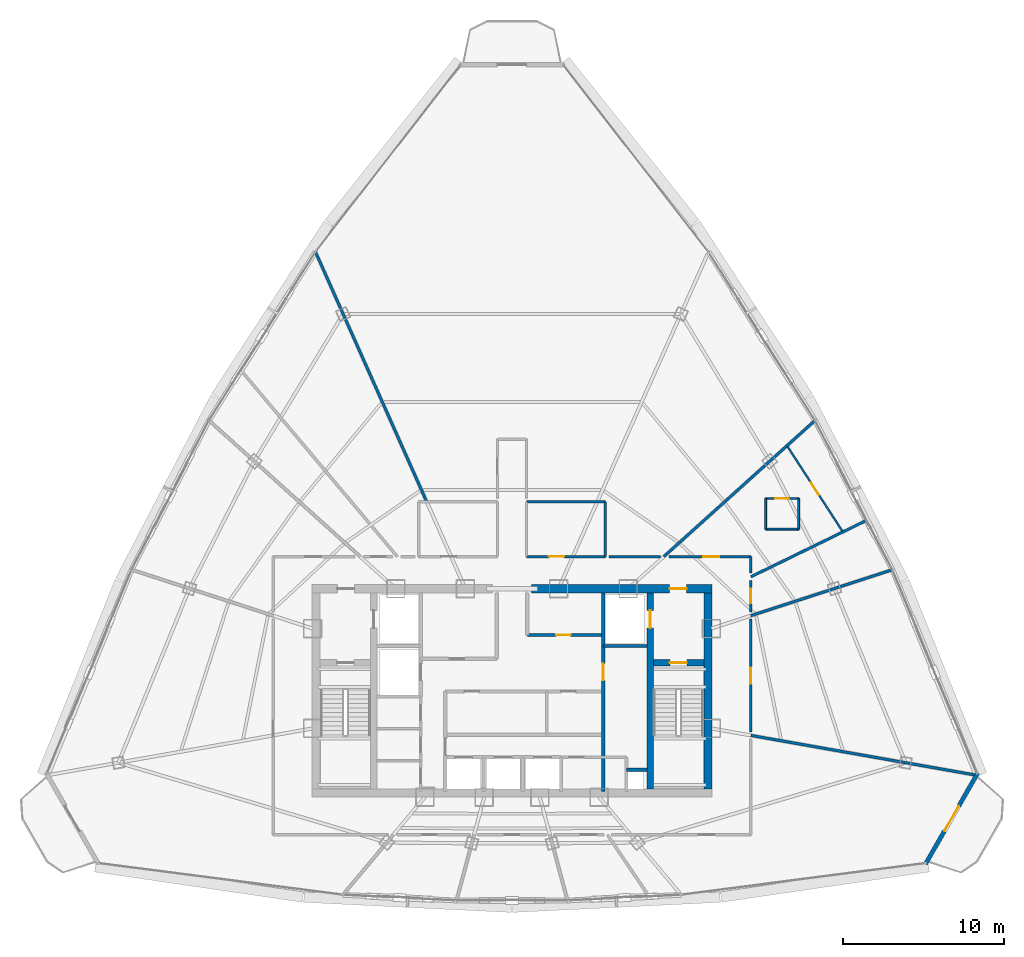
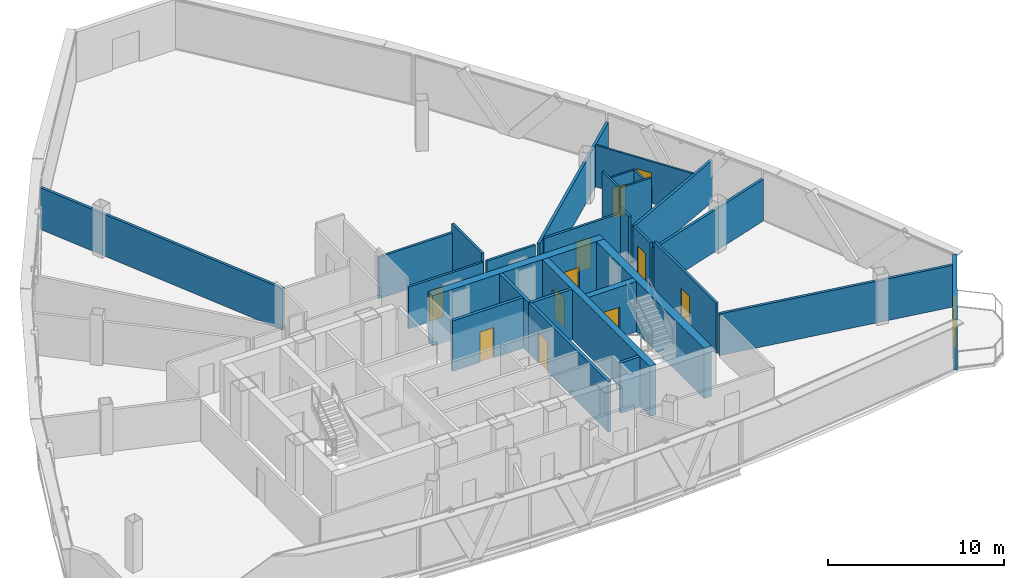
# One storey, part 29 of 33: 28 walls, 12 doors, 12 openings.
"""IFC4 building model written with IfcOpenShell, lengths in metres."""

import ifcopenshell
import ifcopenshell.guid

model = None  # the IFC model being written
_history = None  # IfcOwnerHistory: only IFC2X3 demands one
_inside = {}  # id of a spatial element -> (the spatial element, [elements in it])
_under = {}  # id of a project, library or spatial element -> (it, [spatial elements below it])
_declared = {}  # id of a project -> (the project, [libraries it declares])
_typed = {}  # id of a type object -> (the type object, [elements of that type])
_made_of = {}  # id of a material, layer set ... -> (it, [elements and type objects made of it])


def new_model(schema):
    """Start an empty IFC model of exactly this schema.

    Asked for "IFC4X3", IfcOpenShell would pick the latest addendum, in which some entities
    have other attributes; the version numbers below select the first issue.
    IFC2X3 requires an IfcOwnerHistory on every rooted entity: one is made here for all.
    """
    global model, _history
    if schema == "IFC4X3":
        model = ifcopenshell.file(schema_version=(4, 3, 0, 0))
    else:
        model = ifcopenshell.file(schema=schema)
    _inside.clear()
    _under.clear()
    _declared.clear()
    _typed.clear()
    _made_of.clear()
    _history = None
    if model.schema == "IFC2X3":
        org = make("IfcOrganization", Name="unknown")
        user = make(
            "IfcPersonAndOrganization",
            ThePerson=make("IfcPerson", FamilyName="unknown"),
            TheOrganization=org,
        )
        app = make(
            "IfcApplication",
            ApplicationDeveloper=org,
            Version="unknown",
            ApplicationFullName="unknown",
            ApplicationIdentifier="unknown",
        )
        _history = make(
            "IfcOwnerHistory",
            OwningUser=user,
            OwningApplication=app,
            ChangeAction="ADDED",
            CreationDate=0,
        )
    return model


def make(cls, **values):
    """One entity of the class cls with the attributes given. An attribute that is None is left unset."""
    return model.create_entity(
        cls, **{name: value for name, value in values.items() if value is not None}
    )


def rooted(cls, **values):
    """An entity with a GlobalId (a new one), such as an element, a storey or a relation."""
    return make(cls, GlobalId=ifcopenshell.guid.new(), OwnerHistory=_history, **values)


def si_unit(unit_type, name, prefix=None):
    """IfcSIUnit, for example si_unit("LENGTHUNIT", "METRE", prefix="MILLI")."""
    return make("IfcSIUnit", UnitType=unit_type, Prefix=prefix, Name=name)


def assignment(units):
    """IfcUnitAssignment: the units of a project."""
    return None if units is None else make("IfcUnitAssignment", Units=units)


def point(xyz):
    """IfcCartesianPoint."""
    return None if xyz is None else make("IfcCartesianPoint", Coordinates=xyz)


def direction(xyz):
    """IfcDirection."""
    return None if xyz is None else make("IfcDirection", DirectionRatios=xyz)


def frame(location, z_axis=None, x_axis=None):
    """IfcAxis2Placement3D, a coordinate frame: its origin and axes. An axis left out is left unset."""
    return make(
        "IfcAxis2Placement3D",
        Location=point(location),
        Axis=direction(z_axis),
        RefDirection=direction(x_axis),
    )


def frame_2d(location, x_axis=None):
    """IfcAxis2Placement2D, a coordinate frame in the plane: its origin and x axis."""
    return make(
        "IfcAxis2Placement2D", Location=point(location), RefDirection=direction(x_axis)
    )


def origin():
    """The frame at (0, 0, 0) with its axes left unset."""
    return frame((0.0, 0.0, 0.0))


def origin_with_axes():
    """The frame at (0, 0, 0) with the z axis (0, 0, 1) and the x axis (1, 0, 0) written out."""
    return frame((0.0, 0.0, 0.0), z_axis=(0.0, 0.0, 1.0), x_axis=(1.0, 0.0, 0.0))


def place(relative_to, where):
    """IfcLocalPlacement: puts the frame where relative to a parent placement (None: the world)."""
    return make(
        "IfcLocalPlacement", PlacementRelTo=relative_to, RelativePlacement=where
    )


def context(
    kind, dimensions, precision=None, world=None, true_north=None, identifier=None
):
    """IfcGeometricRepresentationContext, for example the 3D "Model" context."""
    return make(
        "IfcGeometricRepresentationContext",
        ContextIdentifier=identifier,
        ContextType=kind,
        CoordinateSpaceDimension=dimensions,
        Precision=precision,
        WorldCoordinateSystem=world,
        TrueNorth=true_north,
    )


def subcontext(parent, identifier, kind, view, scale=None):
    """IfcGeometricRepresentationSubContext, for example "Body" below "Model"."""
    return make(
        "IfcGeometricRepresentationSubContext",
        ContextIdentifier=identifier,
        ContextType=kind,
        ParentContext=parent,
        TargetScale=scale,
        TargetView=view,
    )


def project(units=None, contexts=None):
    """IfcProject with its units and contexts."""
    return rooted(
        "IfcProject",
        Name="project",
        RepresentationContexts=contexts,
        UnitsInContext=assignment(units),
    )


def spatial(cls, under=None, at=None, **own):
    """A site, building, storey or space (cls), placed at a placement, below another one or the project."""
    s = rooted(cls, ObjectPlacement=at, **own)
    if under is not None:
        _under.setdefault(under.id(), (under, []))[1].append(s)
    return s


def profile(cls, at=None, kind="AREA", **sizes):
    """A parametric profile (cls). Its sizes go by their IFC names, for example OverallWidth=200.0."""
    return make(cls, ProfileType=kind, Position=at, **sizes)


def rectangle(**sizes):
    """IfcRectangleProfileDef."""
    return profile("IfcRectangleProfileDef", **sizes)


def extrude(swept, where, along, depth):
    """IfcExtrudedAreaSolid: the profile swept, set in the frame where, extruded along a direction by depth."""
    return make(
        "IfcExtrudedAreaSolid",
        SweptArea=swept,
        Position=where,
        ExtrudedDirection=direction(along),
        Depth=depth,
    )


def shape(context_of_items, identifier, shape_type, items):
    """IfcShapeRepresentation: the items that make up one representation, for example the "Body"."""
    return make(
        "IfcShapeRepresentation",
        ContextOfItems=context_of_items,
        RepresentationIdentifier=identifier,
        RepresentationType=shape_type,
        Items=items,
    )


def source(mapping_origin, context_of_items, identifier, shape_type, items):
    """IfcRepresentationMap: a shape defined once, which mapped items show again and again."""
    return make(
        "IfcRepresentationMap",
        MappingOrigin=mapping_origin,
        MappedRepresentation=shape(context_of_items, identifier, shape_type, items),
    )


def transform(
    local_origin,
    x_axis=None,
    y_axis=None,
    z_axis=None,
    scale=None,
    scale2=None,
    scale3=None,
    uniform=True,
):
    """IfcCartesianTransformationOperator3D, or its non-uniform kind. x_axis, y_axis, z_axis: its Axis1, 2, 3."""
    if uniform:
        return make(
            "IfcCartesianTransformationOperator3D",
            Axis1=direction(x_axis),
            Axis2=direction(y_axis),
            LocalOrigin=point(local_origin),
            Scale=scale,
            Axis3=direction(z_axis),
        )
    return make(
        "IfcCartesianTransformationOperator3DnonUniform",
        Axis1=direction(x_axis),
        Axis2=direction(y_axis),
        LocalOrigin=point(local_origin),
        Scale=scale,
        Axis3=direction(z_axis),
        Scale2=scale2,
        Scale3=scale3,
    )


def mapped(mapping_source, mapping_target):
    """IfcMappedItem: shows the shape of a source again, moved by a transform."""
    return make(
        "IfcMappedItem", MappingSource=mapping_source, MappingTarget=mapping_target
    )


def material(Name=None, Category=None):
    """IfcMaterial."""
    return make("IfcMaterial", Name=Name, Category=Category)


def layer(
    of_material, thickness, ventilated=None, Name=None, Category=None, Priority=None
):
    """IfcMaterialLayer: one layer of a wall or slab, of a material (None: an air gap)."""
    return make(
        "IfcMaterialLayer",
        Material=of_material,
        LayerThickness=thickness,
        IsVentilated=ventilated,
        Name=Name,
        Category=Category,
        Priority=Priority,
    )


def layer_set(layers, Name=None):
    """IfcMaterialLayerSet."""
    return make("IfcMaterialLayerSet", MaterialLayers=layers, LayerSetName=Name)


def made_of(thing, what):
    """Note that an element or type object is made of a material, layer set ...; save() writes the relation."""
    if what is not None:
        _made_of.setdefault(what.id(), (what, []))[1].append(thing)
    return thing


def type_object(cls, material=None, **own):
    """A type object (cls), such as IfcWallType, which elements share."""
    return made_of(rooted(cls, **own), material)


def element(
    cls,
    number,
    at=None,
    inside=None,
    cuts=None,
    type_object=None,
    material=None,
    context=None,
    identifier="Body",
    shape_type=None,
    held_by="IfcProductDefinitionShape",
    body=None,
    shapes=None,
    **own,
):
    """One element of the class cls, such as IfcWall. Its Tag is "e" and its number.

    at: its placement. inside: the storey or other place that contains it. cuts: it is an
    opening in that element (IfcRelVoidsElement). A single representation is given by context,
    identifier, shape_type and body (its items); several are given by shapes. held_by: the class
    of the entity that holds the representations. save() writes the other relations.
    """
    e = rooted(cls, Tag="e%d" % number, ObjectPlacement=at, **own)
    if body is not None:
        shapes = [shape(context, identifier, shape_type, body)]
    if shapes is not None:
        e.Representation = make(held_by, Representations=shapes)
    if inside is not None:
        _inside.setdefault(inside.id(), (inside, []))[1].append(e)
    if cuts is not None:
        rooted(
            "IfcRelVoidsElement", RelatingBuildingElement=cuts, RelatedOpeningElement=e
        )
    if type_object is not None:
        _typed.setdefault(type_object.id(), (type_object, []))[1].append(e)
    return made_of(e, material)


def fill(opening, filler):
    """IfcRelFillsElement: the door or window that sits in an opening."""
    return rooted(
        "IfcRelFillsElement",
        RelatingOpeningElement=opening,
        RelatedBuildingElement=filler,
    )


def aggregate(whole, parts):
    """IfcRelAggregates: a whole, such as a stair, and the parts it consists of."""
    return rooted("IfcRelAggregates", RelatingObject=whole, RelatedObjects=parts)


def save(model, path):
    """Write the relations noted so far, then the file.

    IfcRelAggregates (storeys below a building ...), IfcRelContainedInSpatialStructure (elements
    in a storey), IfcRelDefinesByType, IfcRelAssociatesMaterial and IfcRelDeclares: one each for
    every whole, place, type object, material and project.
    """
    for whole, parts in _under.values():
        aggregate(whole, parts)
    for where, things in _inside.values():
        rooted(
            "IfcRelContainedInSpatialStructure",
            RelatedElements=things,
            RelatingStructure=where,
        )
    for kind, things in _typed.values():
        rooted("IfcRelDefinesByType", RelatedObjects=things, RelatingType=kind)
    for what, things in _made_of.values():
        rooted("IfcRelAssociatesMaterial", RelatedObjects=things, RelatingMaterial=what)
    for by, libraries in _declared.values():
        rooted("IfcRelDeclares", RelatingContext=by, RelatedDefinitions=libraries)
    model.write(path)


model = new_model("IFC4")

# Units and contexts
model_context = context("Model", 3, precision=1e-05, world=origin(), true_north=direction((0.0, 1.0)))
body_context = subcontext(model_context, "Body", "Model", "MODEL_VIEW")
ifc_project = project(units=[si_unit("LENGTHUNIT", "METRE"), si_unit("AREAUNIT", "SQUARE_METRE"), si_unit("VOLUMEUNIT", "CUBIC_METRE"), si_unit("PLANEANGLEUNIT", "RADIAN"), si_unit("MASSUNIT", "GRAM", prefix="KILO"), si_unit("THERMODYNAMICTEMPERATUREUNIT", "KELVIN"), si_unit("POWERUNIT", "WATT")], contexts=[model_context])

# Site, building, storey
site_placement = place(None, origin())
site = spatial("IfcSite", under=ifc_project, at=site_placement, CompositionType="ELEMENT")
building_placement = place(site_placement, origin())
building = spatial("IfcBuilding", under=site, at=building_placement, Name="Yunzhuo Pagoda Commons", CompositionType="ELEMENT")
storey_placement = place(building_placement, frame((0.0, 0.0, 329.260009765625)))
storey = spatial("IfcBuildingStorey", under=building, at=storey_placement, Name="L82", CompositionType="ELEMENT", Elevation=329.260009765625)

# Wall, opening, door
ifc_material_1 = material(Name="Precast concrete C40", Category="concrete")
ifc_layer_1 = layer(ifc_material_1, 0.260009765625)
ifc_layer_set_1 = layer_set([ifc_layer_1], Name="Precast concrete C40")
wall_type_1 = type_object("IfcWallType", Name="W-BAL1 Corner Balcony Threshold Wall 260", PredefinedType="STANDARD", material=ifc_layer_set_1)
wall_1_placement = place(storey_placement, frame((73.71240234375, 23.091064453125, 0.0), z_axis=(0.0, 0.0, 1.0), x_axis=(0.49793434898, 0.867214727796, 0.0)))
wall_1 = element("IfcWall", 1, at=wall_1_placement, inside=storey, type_object=wall_type_1, Name="L82 corner balcony wall V2", PredefinedType="STANDARD", context=body_context, shape_type="SweptSolid", body=[
    extrude(rectangle(XDim=6.5126953125, YDim=0.260009765625, at=frame_2d((3.25634765625, 0.0))), origin(), (0.0, 0.0, 1.0), 3.489990234375),
])
opening_1_placement = place(wall_1_placement, frame((2.3564453125, 0.0, 0.0)))
opening_1 = element("IfcOpeningElement", 2, at=opening_1_placement, cuts=wall_1, Name="Opening D-BAL1", PredefinedType="OPENING", context=body_context, shape_type="SweptSolid", body=[
    extrude(rectangle(XDim=1.800048828125, YDim=2.14990234375, at=frame_2d((0.89990234375, 1.074951171875))), frame((0.0, 0.14013671875, 0.0), z_axis=(0.0, -1.0, 0.0), x_axis=(1.0, 0.0, 0.0)), (0.0, 0.0, 1.0), 0.280029296875),
])
ifc_material_2 = material(Name="Anodized aluminium frame and tempered glazed leaf", Category="aluminium")
door_type_1 = type_object("IfcDoorType", Name="D-BAL1 Corner Balcony Sliding Glazed Door 1800x2150", OperationType="DOUBLE_DOOR_SLIDING", PredefinedType="DOOR", material=ifc_material_2)
shared_shape_1 = source(origin(), body_context, "Body", "SweptSolid", [
    extrude(rectangle(XDim=1.800048828125, YDim=2.14990234375, at=frame_2d((0.89990234375, 1.074951171875))), frame((0.0, 0.02490234375, 0.0), z_axis=(0.0, -1.0, 0.0), x_axis=(1.0, 0.0, 0.0)), (0.0, 0.0, 1.0), 0.050048828125),
])
door_1_placement = place(opening_1_placement, origin_with_axes())
door_1 = element("IfcDoor", 3, at=door_1_placement, inside=storey, type_object=door_type_1, Name="L82 corner balcony sliding door V2", OperationType="DOUBLE_DOOR_SLIDING", OverallHeight=2.14990234375, OverallWidth=1.800048828125, PredefinedType="DOOR", context=body_context, shape_type="MappedRepresentation", body=[
    mapped(shared_shape_1, transform((0.0, 0.0, 0.0), scale=1.0)),
])
fill(opening_1, door_1)

ifc_material_3 = material(Name="Concrete C50", Category="concrete")
ifc_layer_2 = layer(ifc_material_3, 0.5)
ifc_layer_set_2 = layer_set([ifc_layer_2], Name="Concrete C50")
wall_type_2 = type_object("IfcWallType", Name="W-C03 Upper Core Shear Wall 500", PredefinedType="SHEAR", material=ifc_layer_set_2)
wall_2_placement = place(storey_placement, frame((49.199951171875, 40.199951171875, 0.0), z_axis=(0.0, 0.0, 1.0), x_axis=(1.0, 0.0, 0.0)))
wall_2 = element("IfcWall", 4, at=wall_2_placement, inside=storey, type_object=wall_type_2, Name="L82 core shear wall NE", PredefinedType="SHEAR", context=body_context, shape_type="SweptSolid", body=[
    extrude(rectangle(XDim=11.25, YDim=0.5, at=frame_2d((5.625, 0.0))), origin(), (0.0, 0.0, 1.0), 3.489990234375),
])
opening_2_placement = place(wall_2_placement, frame((8.60009765625, 0.0, 0.0)))
opening_2 = element("IfcOpeningElement", 5, at=opening_2_placement, cuts=wall_2, Name="Opening D-02", PredefinedType="OPENING", context=body_context, shape_type="SweptSolid", body=[
    extrude(rectangle(XDim=1.050048828125, YDim=2.10009765625, at=frame_2d((0.52490234375, 1.050048828125))), frame((0.0, 0.260009765625, 0.0), z_axis=(0.0, -1.0, 0.0), x_axis=(1.0, 0.0, 0.0)), (0.0, 0.0, 1.0), 0.52001953125),
])
ifc_material_4 = material(Name="Galvanized fire-resisting metal leaf")
door_type_2 = type_object("IfcDoorType", Name="D-02 Firefighting Lobby & Refuge Fire Door 1050x2100", OperationType="NOTDEFINED", PredefinedType="DOOR", material=ifc_material_4)
shared_shape_2 = source(origin(), body_context, "Body", "SweptSolid", [
    extrude(rectangle(XDim=1.050048828125, YDim=2.10009765625, at=frame_2d((0.52490234375, 1.050048828125))), frame((0.0, 0.02490234375, 0.0), z_axis=(0.0, -1.0, 0.0), x_axis=(1.0, 0.0, 0.0)), (0.0, 0.0, 1.0), 0.050048828125),
])
door_2_placement = place(opening_2_placement, frame((1.050048828125, 0.0, 0.0), z_axis=(0.0, 0.0, 1.0), x_axis=(-1.0, 0.0, 0.0)))
door_2 = element("IfcDoor", 6, at=door_2_placement, inside=storey, type_object=door_type_2, Name="L82 Firefighting Lobby 2 fire door", OperationType="SINGLE_SWING_RIGHT", OverallHeight=2.10009765625, OverallWidth=1.050048828125, PredefinedType="DOOR", context=body_context, shape_type="MappedRepresentation", body=[
    mapped(shared_shape_2, transform((0.0, 0.0, 0.0), scale=1.0)),
])
fill(opening_2, door_2)

# Wall
wall_3_placement = place(storey_placement, frame((60.199951171875, 27.75, 0.0), z_axis=(0.0, 0.0, 1.0), x_axis=(0.0, 1.0, 0.0)))
element("IfcWall", 7, at=wall_3_placement, inside=storey, type_object=wall_type_2, Name="L82 core shear wall E", PredefinedType="SHEAR", context=body_context, shape_type="SweptSolid", body=[
    extrude(rectangle(XDim=12.199951171875, YDim=0.5, at=frame_2d((6.10009765625, 0.0))), origin(), (0.0, 0.0, 1.0), 3.489990234375),
])

# Wall, opening, door
ifc_material_5 = material(Name="Gypsum plasterboard on acoustic stud")
ifc_layer_3 = layer(ifc_material_5, 0.14990234375)
ifc_layer_set_3 = layer_set([ifc_layer_3], Name="Gypsum plasterboard on acoustic stud")
wall_type_3 = type_object("IfcWallType", Name="W-COR3 High-Zone Rated Corridor Wall 150", PredefinedType="PARTITIONING", material=ifc_layer_set_3)
wall_4_placement = place(storey_placement, frame((48.89990234375, 42.199951171875, 0.0), z_axis=(0.0, 0.0, 1.0), x_axis=(1.0, 0.0, 0.0)))
wall_4 = element("IfcWall", 8, at=wall_4_placement, inside=storey, type_object=wall_type_3, Name="L82 interior wall IW-L82-TFES", PredefinedType="PARTITIONING", context=body_context, shape_type="SweptSolid", body=[
    extrude(rectangle(XDim=4.900146484375, YDim=0.14990234375, at=frame_2d((2.4501953125, 0.0))), origin(), (0.0, 0.0, 1.0), 2.889892578125),
])
opening_3_placement = place(wall_4_placement, frame((1.39990234375, 0.0, 0.0)))
opening_3 = element("IfcOpeningElement", 9, at=opening_3_placement, cuts=wall_4, Name="Opening D-11", PredefinedType="OPENING", context=body_context, shape_type="SweptSolid", body=[
    extrude(rectangle(XDim=0.93994140625, YDim=2.10009765625, at=frame_2d((0.469970703125, 1.050048828125))), frame((0.0, 0.0849609375, 0.0), z_axis=(0.0, -1.0, 0.0), x_axis=(1.0, 0.0, 0.0)), (0.0, 0.0, 1.0), 0.169921875),
])
door_type_3 = type_object("IfcDoorType", Name="D-11 Accessible Washroom Fire Door 940x2100", OperationType="NOTDEFINED", PredefinedType="DOOR", material=ifc_material_4)
shared_shape_3 = source(origin(), body_context, "Body", "SweptSolid", [
    extrude(rectangle(XDim=0.93994140625, YDim=2.10009765625, at=frame_2d((0.469970703125, 1.050048828125))), frame((0.0, 0.02490234375, 0.0), z_axis=(0.0, -1.0, 0.0), x_axis=(1.0, 0.0, 0.0)), (0.0, 0.0, 1.0), 0.050048828125),
])
door_3_placement = place(opening_3_placement, frame((0.93994140625, 0.0, 0.0), z_axis=(0.0, 0.0, 1.0), x_axis=(-1.0, 0.0, 0.0)))
door_3 = element("IfcDoor", 10, at=door_3_placement, inside=storey, type_object=door_type_3, Name="L82 accessible WC door", OperationType="SINGLE_SWING_RIGHT", OverallHeight=2.10009765625, OverallWidth=0.93994140625, PredefinedType="DOOR", context=body_context, shape_type="MappedRepresentation", body=[
    mapped(shared_shape_3, transform((0.0, 0.0, 0.0), scale=1.0)),
])
fill(opening_3, door_3)

# Walls
wall_5_placement = place(storey_placement, frame((48.89990234375, 45.60009765625, 0.0), z_axis=(0.0, 0.0, 1.0), x_axis=(1.0, 0.0, 0.0)))
element("IfcWall", 11, at=wall_5_placement, inside=storey, type_object=wall_type_3, Name="L82 interior wall IW-L82-TFEN", PredefinedType="PARTITIONING", context=body_context, shape_type="SweptSolid", body=[
    extrude(rectangle(XDim=4.900146484375, YDim=0.14990234375, at=frame_2d((2.4501953125, 0.0))), origin(), (0.0, 0.0, 1.0), 2.889892578125),
])
wall_6_placement = place(storey_placement, frame((53.800048828125, 42.199951171875, 0.0), z_axis=(0.0, 0.0, 1.0), x_axis=(0.0, 1.0, 0.0)))
element("IfcWall", 12, at=wall_6_placement, inside=storey, type_object=wall_type_3, Name="L82 interior wall IW-L82-TFEE", PredefinedType="PARTITIONING", context=body_context, shape_type="SweptSolid", body=[
    extrude(rectangle(XDim=3.400146484375, YDim=0.14990234375, at=frame_2d((1.7001953125, 0.0))), origin(), (0.0, 0.0, 1.0), 3.489990234375),
])
wall_7_placement = place(storey_placement, frame((54.02001953125, 42.199951171875, 0.0), z_axis=(0.0, 0.0, 1.0), x_axis=(1.0, 0.0, 0.0)))
element("IfcWall", 13, at=wall_7_placement, inside=storey, type_object=wall_type_3, Name="L82 interior wall IW-L82-CWL09", PredefinedType="PARTITIONING", context=body_context, shape_type="SweptSolid", body=[
    extrude(rectangle(XDim=3.200439453125, YDim=0.14990234375, at=frame_2d((1.60009765625, 0.0))), origin(), (0.0, 0.0, 1.0), 2.889892578125),
])

# Wall, opening, door
wall_8_placement = place(storey_placement, frame((57.76904296875, 42.199951171875, 0.0), z_axis=(0.0, 0.0, 1.0), x_axis=(1.0, 0.0, 0.0)))
wall_8 = element("IfcWall", 14, at=wall_8_placement, inside=storey, type_object=wall_type_3, Name="L82 interior wall IW-L82-CWL10", PredefinedType="PARTITIONING", context=body_context, shape_type="SweptSolid", body=[
    extrude(rectangle(XDim=5.0810546875, YDim=0.14990234375, at=frame_2d((2.54052734375, 0.0))), origin(), (0.0, 0.0, 1.0), 3.139892578125),
])
opening_4_placement = place(wall_8_placement, frame((2.131103515625, 0.0, 0.0)))
opening_4 = element("IfcOpeningElement", 15, at=opening_4_placement, cuts=wall_8, Name="Opening D-08", PredefinedType="OPENING", context=body_context, shape_type="SweptSolid", body=[
    extrude(rectangle(XDim=0.97998046875, YDim=2.1201171875, at=frame_2d((0.489990234375, 1.06005859375))), frame((0.0, 0.0849609375, 0.0), z_axis=(0.0, -1.0, 0.0), x_axis=(1.0, 0.0, 0.0)), (0.0, 0.0, 1.0), 0.169921875),
])
door_type_4 = type_object("IfcDoorType", Name="D-08 High-Zone Suite Entrance Fire Door 980x2120", OperationType="NOTDEFINED", PredefinedType="DOOR", material=ifc_material_4)
shared_shape_4 = source(origin(), body_context, "Body", "SweptSolid", [
    extrude(rectangle(XDim=0.97998046875, YDim=2.1201171875, at=frame_2d((0.489990234375, 1.06005859375))), frame((0.0, 0.02490234375, 0.0), z_axis=(0.0, -1.0, 0.0), x_axis=(1.0, 0.0, 0.0)), (0.0, 0.0, 1.0), 0.050048828125),
])
door_4_placement = place(opening_4_placement, origin_with_axes())
door_4 = element("IfcDoor", 16, at=door_4_placement, inside=storey, type_object=door_type_4, Name="L82 unit 03 entrance door", OperationType="SINGLE_SWING_LEFT", OverallHeight=2.1201171875, OverallWidth=0.97998046875, PredefinedType="DOOR", context=body_context, shape_type="MappedRepresentation", body=[
    mapped(shared_shape_4, transform((0.0, 0.0, 0.0), scale=1.0)),
])
fill(opening_4, door_4)

# Wall
wall_9_placement = place(storey_placement, frame((62.85009765625, 42.199951171875, 0.0), z_axis=(0.0, 0.0, 1.0), x_axis=(0.0, -1.0, 0.0)))
element("IfcWall", 17, at=wall_9_placement, inside=storey, type_object=wall_type_3, Name="L82 interior wall IW-L82-CWL11", PredefinedType="PARTITIONING", context=body_context, shape_type="SweptSolid", body=[
    extrude(rectangle(XDim=1.012451171875, YDim=0.14990234375, at=frame_2d((0.50634765625, 0.0))), origin(), (0.0, 0.0, 1.0), 3.489990234375),
])

# Wall, opening, door
wall_10_placement = place(storey_placement, frame((62.85009765625, 40.722900390625, 0.0), z_axis=(0.0, 0.0, 1.0), x_axis=(0.0, -1.0, 0.0)))
wall_10 = element("IfcWall", 18, at=wall_10_placement, inside=storey, type_object=wall_type_3, Name="L82 interior wall IW-L82-CWL12", PredefinedType="PARTITIONING", context=body_context, shape_type="SweptSolid", body=[
    extrude(rectangle(XDim=1.966552734375, YDim=0.14990234375, at=frame_2d((0.9833984375, 0.0))), origin(), (0.0, 0.0, 1.0), 3.139892578125),
])
opening_5_placement = place(wall_10_placement, frame((0.529052734375, 0.0, 0.0)))
opening_5 = element("IfcOpeningElement", 19, at=opening_5_placement, cuts=wall_10, Name="Opening D-12", PredefinedType="OPENING", context=body_context, shape_type="SweptSolid", body=[
    extrude(rectangle(XDim=0.89990234375, YDim=2.080078125, at=frame_2d((0.449951171875, 1.0400390625))), frame((0.0, 0.0849609375, 0.0), z_axis=(0.0, -1.0, 0.0), x_axis=(1.0, 0.0, 0.0)), (0.0, 0.0, 1.0), 0.169921875),
])
ifc_material_6 = material(Name="Powder-coated aluminium and timber acoustic leaf", Category="wood")
door_type_5 = type_object("IfcDoorType", Name="D-12 Quiet Study Interior Door 900x2080", OperationType="NOTDEFINED", PredefinedType="DOOR", material=ifc_material_6)
shared_shape_5 = source(origin(), body_context, "Body", "SweptSolid", [
    extrude(rectangle(XDim=0.89990234375, YDim=2.080078125, at=frame_2d((0.449951171875, 1.0400390625))), frame((0.0, 0.02490234375, 0.0), z_axis=(0.0, -1.0, 0.0), x_axis=(1.0, 0.0, 0.0)), (0.0, 0.0, 1.0), 0.050048828125),
])
door_5_placement = place(opening_5_placement, origin_with_axes())
door_5 = element("IfcDoor", 20, at=door_5_placement, inside=storey, type_object=door_type_5, Name="L82 study lounge 02 door", OperationType="SINGLE_SWING_RIGHT", OverallHeight=2.080078125, OverallWidth=0.89990234375, PredefinedType="DOOR", context=body_context, shape_type="MappedRepresentation", body=[
    mapped(shared_shape_5, transform((0.0, 0.0, 0.0), scale=1.0)),
])
fill(opening_5, door_5)

wall_11_placement = place(storey_placement, frame((62.85009765625, 38.305419921875, 0.0), z_axis=(0.0, 0.0, 1.0), x_axis=(0.0, -1.0, 0.0)))
wall_11 = element("IfcWall", 21, at=wall_11_placement, inside=storey, type_object=wall_type_3, Name="L82 interior wall IW-L82-CWL13", PredefinedType="PARTITIONING", context=body_context, shape_type="SweptSolid", body=[
    extrude(rectangle(XDim=7.004150390625, YDim=0.14990234375, at=frame_2d((3.501953125, 0.0))), origin(), (0.0, 0.0, 1.0), 3.489990234375),
])
opening_6_placement = place(wall_11_placement, frame((3.027099609375, 0.0, 0.0)))
opening_6 = element("IfcOpeningElement", 22, at=opening_6_placement, cuts=wall_11, Name="Opening D-08", PredefinedType="OPENING", context=body_context, shape_type="SweptSolid", body=[
    extrude(rectangle(XDim=0.97998046875, YDim=2.1201171875, at=frame_2d((0.489990234375, 1.06005859375))), frame((0.0, 0.0849609375, 0.0), z_axis=(0.0, -1.0, 0.0), x_axis=(1.0, 0.0, 0.0)), (0.0, 0.0, 1.0), 0.169921875),
])
door_6_placement = place(opening_6_placement, origin_with_axes())
door_6 = element("IfcDoor", 23, at=door_6_placement, inside=storey, type_object=door_type_4, Name="L82 unit 01 entrance door", OperationType="SINGLE_SWING_LEFT", OverallHeight=2.1201171875, OverallWidth=0.97998046875, PredefinedType="DOOR", context=body_context, shape_type="MappedRepresentation", body=[
    mapped(shared_shape_4, transform((0.0, 0.0, 0.0), scale=1.0)),
])
fill(opening_6, door_6)

# Walls
ifc_layer_4 = layer(ifc_material_5, 0.1201171875)
ifc_layer_set_4 = layer_set([ifc_layer_4], Name="Gypsum plasterboard on acoustic stud")
wall_type_4 = type_object("IfcWallType", Name="W-PRT1 Suite & Bathroom Partition 120", PredefinedType="PARTITIONING", material=ifc_layer_set_4)
wall_12_placement = place(storey_placement, frame((63.76806640625, 43.9130859375, 0.0), z_axis=(0.0, 0.0, 1.0), x_axis=(1.0, 0.0, 0.0)))
element("IfcWall", 24, at=wall_12_placement, inside=storey, type_object=wall_type_4, Name="L82 interior wall IW-L82-B03S", PredefinedType="PARTITIONING", context=body_context, shape_type="SweptSolid", body=[
    extrude(rectangle(XDim=2.050048828125, YDim=0.1201171875, at=frame_2d((1.02490234375, 0.0))), origin(), (0.0, 0.0, 1.0), 3.489990234375),
])
wall_13_placement = place(storey_placement, frame((65.818115234375, 43.9130859375, 0.0), z_axis=(0.0, 0.0, 1.0), x_axis=(0.0, 1.0, 0.0)))
element("IfcWall", 25, at=wall_13_placement, inside=storey, type_object=wall_type_4, Name="L82 interior wall IW-L82-B03E", PredefinedType="PARTITIONING", context=body_context, shape_type="SweptSolid", body=[
    extrude(rectangle(XDim=1.89990234375, YDim=0.1201171875, at=frame_2d((0.949951171875, 0.0))), origin(), (0.0, 0.0, 1.0), 2.889892578125),
])

# Wall, opening, door
wall_14_placement = place(storey_placement, frame((65.818115234375, 45.81298828125, 0.0), z_axis=(0.0, 0.0, 1.0), x_axis=(-1.0, 0.0, 0.0)))
wall_14 = element("IfcWall", 26, at=wall_14_placement, inside=storey, type_object=wall_type_4, Name="L82 interior wall IW-L82-B03N", PredefinedType="PARTITIONING", context=body_context, shape_type="SweptSolid", body=[
    extrude(rectangle(XDim=2.050048828125, YDim=0.1201171875, at=frame_2d((1.02490234375, 0.0))), origin(), (0.0, 0.0, 1.0), 2.889892578125),
])
opening_7_placement = place(wall_14_placement, frame((0.60009765625, 0.0, 0.0)))
opening_7 = element("IfcOpeningElement", 27, at=opening_7_placement, cuts=wall_14, Name="Opening D-05", PredefinedType="OPENING", context=body_context, shape_type="SweptSolid", body=[
    extrude(rectangle(XDim=0.85009765625, YDim=2.10009765625, at=frame_2d((0.425048828125, 1.050048828125))), frame((0.0, 0.070068359375, 0.0), z_axis=(0.0, -1.0, 0.0), x_axis=(1.0, 0.0, 0.0)), (0.0, 0.0, 1.0), 0.14013671875),
])
door_type_6 = type_object("IfcDoorType", Name="D-05 En-Suite Bathroom Door 850x2100", OperationType="NOTDEFINED", PredefinedType="DOOR", material=ifc_material_6)
shared_shape_6 = source(origin(), body_context, "Body", "SweptSolid", [
    extrude(rectangle(XDim=0.85009765625, YDim=2.10009765625, at=frame_2d((0.425048828125, 1.050048828125))), frame((0.0, 0.02490234375, 0.0), z_axis=(0.0, -1.0, 0.0), x_axis=(1.0, 0.0, 0.0)), (0.0, 0.0, 1.0), 0.050048828125),
])
door_7_placement = place(opening_7_placement, frame((0.85009765625, 0.0, 0.0), z_axis=(0.0, 0.0, 1.0), x_axis=(-1.0, 0.0, 0.0)))
door_7 = element("IfcDoor", 28, at=door_7_placement, inside=storey, type_object=door_type_6, Name="L82 unit 03 bathroom door", OperationType="SINGLE_SWING_LEFT", OverallHeight=2.10009765625, OverallWidth=0.85009765625, PredefinedType="DOOR", context=body_context, shape_type="MappedRepresentation", body=[
    mapped(shared_shape_6, transform((0.0, 0.0, 0.0), scale=1.0)),
])
fill(opening_7, door_7)

# Wall
wall_15_placement = place(storey_placement, frame((63.76806640625, 45.81298828125, 0.0), z_axis=(0.0, 0.0, 1.0), x_axis=(0.0, -1.0, 0.0)))
element("IfcWall", 29, at=wall_15_placement, inside=storey, type_object=wall_type_4, Name="L82 interior wall IW-L82-B03W", PredefinedType="PARTITIONING", context=body_context, shape_type="SweptSolid", body=[
    extrude(rectangle(XDim=1.89990234375, YDim=0.1201171875, at=frame_2d((0.949951171875, 0.0))), origin(), (0.0, 0.0, 1.0), 3.489990234375),
])

# Wall, opening, door
wall_16_placement = place(storey_placement, frame((68.539794921875, 43.78466796875, 0.0), z_axis=(0.0, 0.0, 1.0), x_axis=(-0.54386649996, 0.839171752516, 0.0)))
wall_16 = element("IfcWall", 30, at=wall_16_placement, inside=storey, type_object=wall_type_4, Name="L82 interior wall IW-L82-CLB03", PredefinedType="PARTITIONING", context=body_context, shape_type="SweptSolid", body=[
    extrude(rectangle(XDim=6.267578125, YDim=0.1201171875, at=frame_2d((3.1337890625, 0.0))), origin(), (0.0, 0.0, 1.0), 2.889892578125),
])
opening_8_placement = place(wall_16_placement, frame((2.673583984375, 0.0, 0.0)))
opening_8 = element("IfcOpeningElement", 31, at=opening_8_placement, cuts=wall_16, Name="Opening D-04", PredefinedType="OPENING", context=body_context, shape_type="SweptSolid", body=[
    extrude(rectangle(XDim=0.919921875, YDim=2.10009765625, at=frame_2d((0.4599609375, 1.050048828125))), frame((0.0, 0.070068359375, 0.0), z_axis=(0.0, -1.0, 0.0), x_axis=(1.0, 0.0, 0.0)), (0.0, 0.0, 1.0), 0.14013671875),
])
door_type_7 = type_object("IfcDoorType", Name="D-04 Bedroom & Study Interior Door 920x2100", OperationType="NOTDEFINED", PredefinedType="DOOR", material=ifc_material_6)
shared_shape_7 = source(origin(), body_context, "Body", "SweptSolid", [
    extrude(rectangle(XDim=0.919921875, YDim=2.10009765625, at=frame_2d((0.4599609375, 1.050048828125))), frame((0.0, 0.02490234375, 0.0), z_axis=(0.0, -1.0, 0.0), x_axis=(1.0, 0.0, 0.0)), (0.0, 0.0, 1.0), 0.050048828125),
])
door_8_placement = place(opening_8_placement, origin_with_axes())
door_8 = element("IfcDoor", 32, at=door_8_placement, inside=storey, type_object=door_type_7, Name="L82 suite 03 bedroom door", OperationType="SINGLE_SWING_LEFT", OverallHeight=2.10009765625, OverallWidth=0.919921875, PredefinedType="DOOR", context=body_context, shape_type="MappedRepresentation", body=[
    mapped(shared_shape_7, transform((0.0, 0.0, 0.0), scale=1.0)),
])
fill(opening_8, door_8)

# Walls
ifc_layer_5 = layer(ifc_material_5, 0.169921875)
ifc_layer_set_5 = layer_set([ifc_layer_5], Name="Gypsum plasterboard on acoustic stud")
wall_type_5 = type_object("IfcWallType", Name="W-PRT4 High-Zone Demising Wall 170", PredefinedType="PARTITIONING", material=ifc_layer_set_5)
wall_17_placement = place(storey_placement, frame((62.85009765625, 38.525146484375, 0.0), z_axis=(0.0, 0.0, 1.0), x_axis=(0.951054035025, 0.309024630836, 0.0)))
element("IfcWall", 33, at=wall_17_placement, inside=storey, type_object=wall_type_5, Name="L82 interior wall IW-L82-RAD01", PredefinedType="PARTITIONING", context=body_context, shape_type="SweptSolid", body=[
    extrude(rectangle(XDim=9.25439453125, YDim=0.169921875, at=frame_2d((4.627197265625, 0.0))), origin(), (0.0, 0.0, 1.0), 2.889892578125),
])
wall_18_placement = place(storey_placement, frame((62.85009765625, 40.94287109375, 0.0), z_axis=(0.0, 0.0, 1.0), x_axis=(0.898797111691, 0.438364861749, 0.0)))
element("IfcWall", 34, at=wall_18_placement, inside=storey, type_object=wall_type_5, Name="L82 interior wall IW-L82-RAD02", PredefinedType="PARTITIONING", context=body_context, shape_type="SweptSolid", body=[
    extrude(rectangle(XDim=8.02099609375, YDim=0.169921875, at=frame_2d((4.010498046875, 0.0))), origin(), (0.0, 0.0, 1.0), 2.889892578125),
])
wall_19_placement = place(storey_placement, frame((57.440185546875, 42.199951171875, 0.0), z_axis=(0.0, 0.0, 1.0), x_axis=(0.743143506998, 0.669132070675, 0.0)))
element("IfcWall", 35, at=wall_19_placement, inside=storey, type_object=wall_type_5, Name="L82 interior wall IW-L82-RAD03", PredefinedType="PARTITIONING", context=body_context, shape_type="SweptSolid", body=[
    extrude(rectangle(XDim=12.65380859375, YDim=0.169921875, at=frame_2d((6.326904296875, 0.0))), origin(), (0.0, 0.0, 1.0), 2.889892578125),
])
wall_20_placement = place(storey_placement, frame((42.701904296875, 45.60009765625, 0.0), z_axis=(0.0, 0.0, 1.0), x_axis=(-0.406746839759, 0.913540917719, 0.0)))
element("IfcWall", 36, at=wall_20_placement, inside=storey, type_object=wall_type_5, Name="L82 interior wall IW-L82-RAD04", PredefinedType="PARTITIONING", context=body_context, shape_type="SweptSolid", body=[
    extrude(rectangle(XDim=17.013427734375, YDim=0.169921875, at=frame_2d((8.5068359375, 0.0))), origin(), (0.0, 0.0, 1.0), 2.889892578125),
])
wall_21_placement = place(storey_placement, frame((62.85009765625, 31.08154296875, 0.0), z_axis=(0.0, 0.0, 1.0), x_axis=(0.984807879062, -0.173647462802, 0.0)))
element("IfcWall", 37, at=wall_21_placement, inside=storey, type_object=wall_type_5, Name="L82 interior wall IW-L82-RAD12", PredefinedType="PARTITIONING", context=body_context, shape_type="SweptSolid", body=[
    extrude(rectangle(XDim=14.24365234375, YDim=0.169921875, at=frame_2d((7.121826171875, 0.0))), origin(), (0.0, 0.0, 1.0), 2.889892578125),
])

# Wall, opening, door
ifc_material_7 = material(Name="Concrete C60", Category="concrete")
ifc_layer_6 = layer(ifc_material_7, 0.39990234375)
ifc_layer_set_6 = layer_set([ifc_layer_6], Name="Concrete C60")
wall_type_6 = type_object("IfcWallType", Name="W-S01 Internal Core Shear Web 400", PredefinedType="SHEAR", material=ifc_layer_set_6)
wall_22_placement = place(storey_placement, frame((56.60009765625, 27.75, 0.0), z_axis=(0.0, 0.0, 1.0), x_axis=(0.0, 1.0, 0.0)))
wall_22 = element("IfcWall", 38, at=wall_22_placement, inside=storey, type_object=wall_type_6, Name="L82 core shear wall WEBE", PredefinedType="SHEAR", context=body_context, shape_type="SweptSolid", body=[
    extrude(rectangle(XDim=12.199951171875, YDim=0.39990234375, at=frame_2d((6.10009765625, 0.0))), origin(), (0.0, 0.0, 1.0), 3.489990234375),
])
opening_9_placement = place(wall_22_placement, frame((10.0, 0.0, 0.0)))
opening_9 = element("IfcOpeningElement", 39, at=opening_9_placement, cuts=wall_22, Name="Opening LD-01", PredefinedType="OPENING", context=body_context, shape_type="SweptSolid", body=[
    extrude(rectangle(XDim=1.10009765625, YDim=2.10009765625, at=frame_2d((0.550048828125, 1.050048828125))), frame((0.0, 0.2099609375, 0.0), z_axis=(0.0, -1.0, 0.0), x_axis=(1.0, 0.0, 0.0)), (0.0, 0.0, 1.0), 0.419921875),
])
door_type_8 = type_object("IfcDoorType", Name="LD-01 Firefighting Lift Landing Door 1100x2100", OperationType="DOUBLE_DOOR_SLIDING", PredefinedType="DOOR", material=ifc_material_4)
shared_shape_8 = source(origin(), body_context, "Body", "SweptSolid", [
    extrude(rectangle(XDim=1.10009765625, YDim=2.10009765625, at=frame_2d((0.550048828125, 1.050048828125))), frame((0.0, 0.02490234375, 0.0), z_axis=(0.0, -1.0, 0.0), x_axis=(1.0, 0.0, 0.0)), (0.0, 0.0, 1.0), 0.050048828125),
])
door_9_placement = place(opening_9_placement, origin_with_axes())
door_9 = element("IfcDoor", 40, at=door_9_placement, inside=storey, type_object=door_type_8, Name="L82 Firefighting lift FL-2 landing door", OperationType="DOUBLE_DOOR_SLIDING", OverallHeight=2.10009765625, OverallWidth=1.10009765625, PredefinedType="DOOR", context=body_context, shape_type="MappedRepresentation", body=[
    mapped(shared_shape_8, transform((0.0, 0.0, 0.0), scale=1.0)),
])
fill(opening_9, door_9)

wall_23_placement = place(storey_placement, frame((56.800048828125, 35.60009765625, 0.0), z_axis=(0.0, 0.0, 1.0), x_axis=(1.0, 0.0, 0.0)))
wall_23 = element("IfcWall", 41, at=wall_23_placement, inside=storey, type_object=wall_type_6, Name="L82 core shear wall STE", PredefinedType="SHEAR", context=body_context, shape_type="SweptSolid", body=[
    extrude(rectangle(XDim=3.14990234375, YDim=0.39990234375, at=frame_2d((1.574951171875, 0.0))), origin(), (0.0, 0.0, 1.0), 3.489990234375),
])
opening_10_placement = place(wall_23_placement, frame((1.02001953125, 0.0, 0.0)))
opening_10 = element("IfcOpeningElement", 42, at=opening_10_placement, cuts=wall_23, Name="Opening D-01", PredefinedType="OPENING", context=body_context, shape_type="SweptSolid", body=[
    extrude(rectangle(XDim=1.050048828125, YDim=2.10009765625, at=frame_2d((0.52490234375, 1.050048828125))), frame((0.0, 0.2099609375, 0.0), z_axis=(0.0, -1.0, 0.0), x_axis=(1.0, 0.0, 0.0)), (0.0, 0.0, 1.0), 0.419921875),
])
door_type_9 = type_object("IfcDoorType", Name="D-01 Smokeproof Stair Fire Door 1050x2100", OperationType="NOTDEFINED", PredefinedType="DOOR", material=ifc_material_4)
door_10_placement = place(opening_10_placement, frame((1.050048828125, 0.0, 0.0), z_axis=(0.0, 0.0, 1.0), x_axis=(-1.0, 0.0, 0.0)))
door_10 = element("IfcDoor", 43, at=door_10_placement, inside=storey, type_object=door_type_9, Name="L82 Stair ST2 fire door", OperationType="SINGLE_SWING_RIGHT", OverallHeight=2.10009765625, OverallWidth=1.050048828125, PredefinedType="DOOR", context=body_context, shape_type="MappedRepresentation", body=[
    mapped(shared_shape_2, transform((0.0, 0.0, 0.0), scale=1.0)),
])
fill(opening_10, door_10)

# Walls
ifc_material_8 = material(Name="Concrete C40", Category="concrete")
ifc_layer_7 = layer(ifc_material_8, 0.199951171875)
ifc_layer_set_7 = layer_set([ifc_layer_7], Name="Concrete C40")
wall_type_7 = type_object("IfcWallType", Name="W-SHF Shaft & Stair Enclosure Wall 200", PredefinedType="SOLIDWALL", material=ifc_layer_set_7)
wall_24_placement = place(storey_placement, frame((53.679931640625, 36.64990234375, 0.0), z_axis=(0.0, 0.0, 1.0), x_axis=(0.0, 1.0, 0.0)))
element("IfcWall", 44, at=wall_24_placement, inside=storey, type_object=wall_type_7, Name="L82 interior wall IW-L82-FL2W", PredefinedType="SOLIDWALL", context=body_context, shape_type="SweptSolid", body=[
    extrude(rectangle(XDim=3.300048828125, YDim=0.199951171875, at=frame_2d((1.64990234375, 0.0))), origin(), (0.0, 0.0, 1.0), 3.489990234375),
])
wall_25_placement = place(storey_placement, frame((53.679931640625, 36.64990234375, 0.0), z_axis=(0.0, 0.0, 1.0), x_axis=(1.0, 0.0, 0.0)))
element("IfcWall", 45, at=wall_25_placement, inside=storey, type_object=wall_type_7, Name="L82 interior wall IW-L82-FL2S", PredefinedType="SOLIDWALL", context=body_context, shape_type="SweptSolid", body=[
    extrude(rectangle(XDim=2.719970703125, YDim=0.199951171875, at=frame_2d((1.35986328125, 0.0))), origin(), (0.0, 0.0, 1.0), 3.489990234375),
])

# Wall, opening, door
wall_26_placement = place(storey_placement, frame((48.949951171875, 37.320068359375, 0.0), z_axis=(0.0, 0.0, 1.0), x_axis=(1.0, 0.0, 0.0)))
wall_26 = element("IfcWall", 46, at=wall_26_placement, inside=storey, type_object=wall_type_7, Name="L82 interior wall IW-L82-LBNE", PredefinedType="SOLIDWALL", context=body_context, shape_type="SweptSolid", body=[
    extrude(rectangle(XDim=4.72998046875, YDim=0.199951171875, at=frame_2d((2.364990234375, 0.0))), origin(), (0.0, 0.0, 1.0), 3.489990234375),
])
opening_11_placement = place(wall_26_placement, frame((1.800048828125, 0.0, 0.0)))
opening_11 = element("IfcOpeningElement", 47, at=opening_11_placement, cuts=wall_26, Name="Opening D-03", PredefinedType="OPENING", context=body_context, shape_type="SweptSolid", body=[
    extrude(rectangle(XDim=0.89990234375, YDim=2.10009765625, at=frame_2d((0.449951171875, 1.050048828125))), frame((0.0, 0.10986328125, 0.0), z_axis=(0.0, -1.0, 0.0), x_axis=(1.0, 0.0, 0.0)), (0.0, 0.0, 1.0), 0.219970703125),
])
door_type_10 = type_object("IfcDoorType", Name="D-03 Core Service Fire Door 900x2100", OperationType="NOTDEFINED", PredefinedType="DOOR", material=ifc_material_4)
shared_shape_9 = source(origin(), body_context, "Body", "SweptSolid", [
    extrude(rectangle(XDim=0.89990234375, YDim=2.10009765625, at=frame_2d((0.449951171875, 1.050048828125))), frame((0.0, 0.02490234375, 0.0), z_axis=(0.0, -1.0, 0.0), x_axis=(1.0, 0.0, 0.0)), (0.0, 0.0, 1.0), 0.050048828125),
])
door_11_placement = place(opening_11_placement, frame((0.89990234375, 0.0, 0.0), z_axis=(0.0, 0.0, 1.0), x_axis=(-1.0, 0.0, 0.0)))
door_11 = element("IfcDoor", 48, at=door_11_placement, inside=storey, type_object=door_type_10, Name="L82 core east store door", OperationType="SINGLE_SWING_RIGHT", OverallHeight=2.10009765625, OverallWidth=0.89990234375, PredefinedType="DOOR", context=body_context, shape_type="MappedRepresentation", body=[
    mapped(shared_shape_9, transform((0.0, 0.0, 0.0), scale=1.0)),
])
fill(opening_11, door_11)

wall_27_placement = place(storey_placement, frame((53.679931640625, 27.60009765625, 0.0), z_axis=(0.0, 0.0, 1.0), x_axis=(0.0, 1.0, 0.0)))
wall_27 = element("IfcWall", 49, at=wall_27_placement, inside=storey, type_object=wall_type_7, Name="L82 interior wall IW-L82-PLME", PredefinedType="SOLIDWALL", context=body_context, shape_type="SweptSolid", body=[
    extrude(rectangle(XDim=9.0498046875, YDim=0.199951171875, at=frame_2d((4.52490234375, 0.0))), origin(), (0.0, 0.0, 1.0), 3.489990234375),
])
opening_12_placement = place(wall_27_placement, frame((6.89990234375, 0.0, 0.0)))
opening_12 = element("IfcOpeningElement", 50, at=opening_12_placement, cuts=wall_27, Name="Opening D-02", PredefinedType="OPENING", context=body_context, shape_type="SweptSolid", body=[
    extrude(rectangle(XDim=1.050048828125, YDim=2.10009765625, at=frame_2d((0.52490234375, 1.050048828125))), frame((0.0, 0.10986328125, 0.0), z_axis=(0.0, -1.0, 0.0), x_axis=(1.0, 0.0, 0.0)), (0.0, 0.0, 1.0), 0.219970703125),
])
door_12_placement = place(opening_12_placement, origin_with_axes())
door_12 = element("IfcDoor", 51, at=door_12_placement, inside=storey, type_object=door_type_2, Name="L82 High-bank lift hall door", OperationType="SINGLE_SWING_RIGHT", OverallHeight=2.10009765625, OverallWidth=1.050048828125, PredefinedType="DOOR", context=body_context, shape_type="MappedRepresentation", body=[
    mapped(shared_shape_2, transform((0.0, 0.0, 0.0), scale=1.0)),
])
fill(opening_12, door_12)

# Wall
wall_28_placement = place(storey_placement, frame((55.1201171875, 28.949951171875, 0.0), z_axis=(0.0, 0.0, 1.0), x_axis=(1.0, 0.0, 0.0)))
element("IfcWall", 52, at=wall_28_placement, inside=storey, type_object=wall_type_7, Name="L82 interior wall IW-L82-RSHFN", PredefinedType="SOLIDWALL", context=body_context, shape_type="SweptSolid", body=[
    extrude(rectangle(XDim=1.27978515625, YDim=0.199951171875, at=frame_2d((0.639892578125, 0.0))), origin(), (0.0, 0.0, 1.0), 3.489990234375),
])

save(model, "model.ifc")
